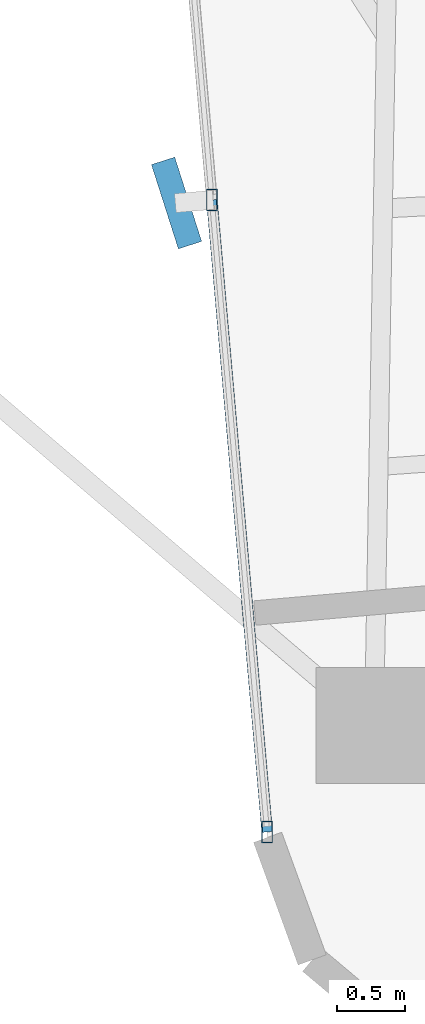
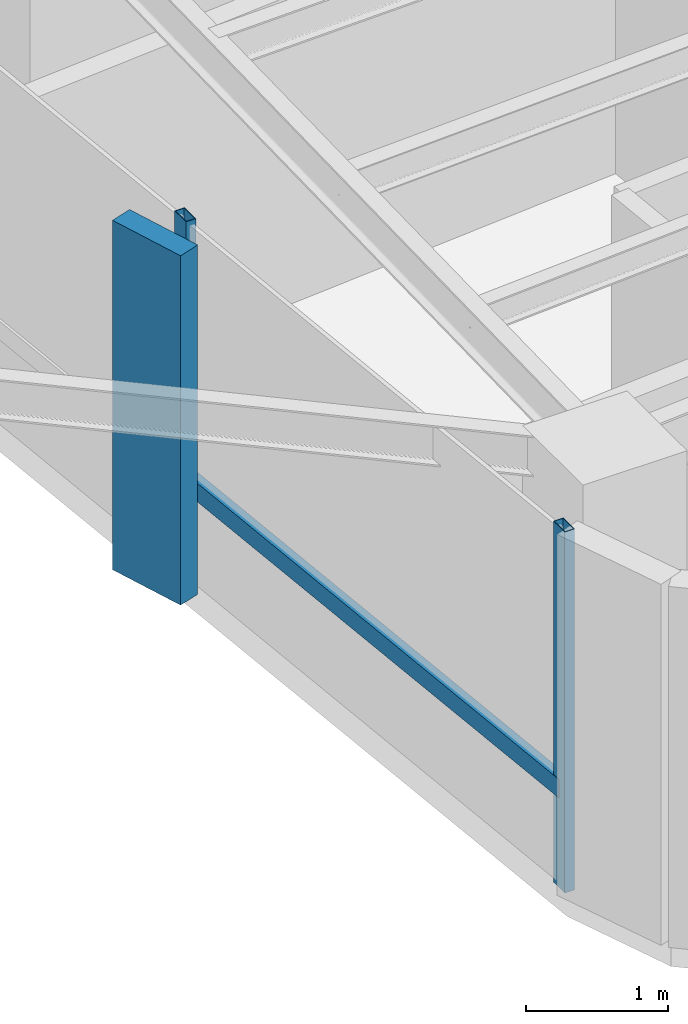
# One storey, part 2 of 24: 4 members, 1 element without a shape of its own.
"""IFC4 building model written with IfcOpenShell, lengths in metres."""

from ifc_helpers import new_model, si_unit, direction, frame, origin, origin_2d, place, context, subcontext, project, spatial, rectangle, hollow_rectangle, extrude, source, transform, mapped, material, material_profile, profile_set, type_object, element, aggregate, save


model = new_model("IFC4")

# Units and contexts
model_context = context("Model", 3, precision=1e-05, world=origin(), true_north=direction((0.0, 1.0)))
body_context = subcontext(model_context, "Body", "Model", "MODEL_VIEW")
ifc_project = project(units=[si_unit("LENGTHUNIT", "METRE"), si_unit("AREAUNIT", "SQUARE_METRE"), si_unit("VOLUMEUNIT", "CUBIC_METRE"), si_unit("PLANEANGLEUNIT", "RADIAN"), si_unit("MASSUNIT", "GRAM", prefix="KILO")], contexts=[model_context])

# Site, building, storey
site_placement = place(None, origin())
site = spatial("IfcSite", under=ifc_project, at=site_placement, CompositionType="ELEMENT")
building_placement = place(site_placement, origin())
building = spatial("IfcBuilding", under=site, at=building_placement, Name="Sahyath Konkavel Grand Hotel", CompositionType="ELEMENT")
storey_placement = place(building_placement, frame((0.0, 0.0, 160.64990234375)))
storey = spatial("IfcBuildingStorey", under=building, at=storey_placement, Name="L44", CompositionType="ELEMENT", Elevation=160.64990234375)

# Curtain wall, members
ifc_material_1 = material(Name="Anodised Bronze Aluminium & Low-E Glazing", Category="aluminium")
curtain_wall_type = type_object("IfcCurtainWallType", Name="CW-ZONE3", PredefinedType="NOTDEFINED", material=ifc_material_1)
curtain_wall_placement = place(storey_placement, origin())
curtain_wall = element("IfcCurtainWall", 1, at=curtain_wall_placement, inside=storey, type_object=curtain_wall_type, Name="L44 Unitised Curtain Wall F24", PredefinedType="NOTDEFINED")
ifc_material_2 = material(Name="Warm Buff Sandstone Cladding on Concrete C50/60", Category="masonry")
ifc_material_profile_1 = material_profile(ifc_material_2, rectangle(XDim=0.179931640625, YDim=0.64990234375, at=origin_2d()), Name="FIN 180x650")
ifc_profile_set_1 = profile_set([ifc_material_profile_1], Name="Warm Buff Sandstone Cladding on Concrete C50/60")
member_type_1 = type_object("IfcMemberType", Name="FIN-SANDSTONE-650", PredefinedType="MULLION", material=ifc_profile_set_1)
shared_shape_1 = source(origin(), body_context, "Body", "SweptSolid", [
    extrude(rectangle(XDim=0.179931640625, YDim=0.64990234375, at=origin_2d()), origin(), (0.0, 0.0, 1.0), 3.010009765625),
])
member_1_placement = place(storey_placement, frame((-5.386474609375, -14.273681640625, 0.050048828125), z_axis=(0.0, 0.0, 1.0), x_axis=(0.952502159334, 0.304531831612, 0.0)))
member_1 = element("IfcMember", 2, at=member_1_placement, type_object=member_type_1, Name="L44 Sandstone Vertical Solar Fin FIN F24-1", PredefinedType="MULLION", context=body_context, shape_type="MappedRepresentation", body=[
    mapped(shared_shape_1, transform((0.0, 0.0, 0.0), scale=1.0)),
])
ifc_material_3 = material(Name="Anodised Bronze Aluminium", Category="aluminium")
ifc_material_profile_2 = material_profile(ifc_material_3, hollow_rectangle(XDim=0.080078125, YDim=0.159912109375, WallThickness=0.006103515625, at=origin_2d()), Name="RHS 160x80x6")
ifc_profile_set_2 = profile_set([ifc_material_profile_2], Name="Anodised Bronze Aluminium")
member_type_2 = type_object("IfcMemberType", Name="CW-MUL-160", PredefinedType="MULLION", material=ifc_profile_set_2)
shared_shape_2 = source(origin(), body_context, "Body", "SweptSolid", [
    extrude(hollow_rectangle(XDim=0.080078125, YDim=0.159912109375, WallThickness=0.006103515625, at=origin_2d()), origin(), (0.0, 0.0, 1.0), 3.110107421875),
])
member_2_placement = place(storey_placement, frame((-5.12744140625, -14.251220703125, 0.0), z_axis=(0.0, 0.0, 1.0), x_axis=(1.0, 0.0, 0.0)))
member_2 = element("IfcMember", 3, at=member_2_placement, type_object=member_type_2, Name="L44 Curtain Wall Mullion F24-1", PredefinedType="MULLION", context=body_context, shape_type="MappedRepresentation", body=[
    mapped(shared_shape_2, transform((0.0, 0.0, 0.0), scale=1.0)),
])
member_3_placement = place(storey_placement, frame((-4.72119140625, -18.893310546875, 0.0), z_axis=(0.0, 0.0, 1.0), x_axis=(1.0, 0.0, 0.0)))
member_3 = element("IfcMember", 4, at=member_3_placement, type_object=member_type_2, Name="L44 Curtain Wall Mullion F24-2", PredefinedType="MULLION", context=body_context, shape_type="MappedRepresentation", body=[
    mapped(shared_shape_2, transform((0.0, 0.0, 0.0), scale=1.0)),
])
ifc_material_profile_3 = material_profile(ifc_material_3, hollow_rectangle(XDim=0.080078125, YDim=0.159912109375, WallThickness=0.006103515625, at=origin_2d()), Name="RHS 160x80x6")
ifc_profile_set_3 = profile_set([ifc_material_profile_3], Name="Anodised Bronze Aluminium")
member_type_3 = type_object("IfcMemberType", Name="CW-TRN-160", PredefinedType="USERDEFINED", material=ifc_profile_set_3)
shared_shape_3 = source(origin(), body_context, "Body", "SweptSolid", [
    extrude(hollow_rectangle(XDim=0.080078125, YDim=0.159912109375, WallThickness=0.006103515625, at=origin_2d()), origin(), (0.0, 0.0, 1.0), 4.659912109375),
])
member_4_placement = place(storey_placement, frame((-5.12744140625, -14.251220703125, 0.85009765625), z_axis=(0.087181248758, -0.996192466276, 0.0), x_axis=(0.996192466276, 0.087181248758, 0.0)))
member_4 = element("IfcMember", 5, at=member_4_placement, type_object=member_type_3, Name="L44 Curtain Wall Transom F24-1-spandrel", ObjectType="TRANSOM", PredefinedType="USERDEFINED", context=body_context, shape_type="MappedRepresentation", body=[
    mapped(shared_shape_3, transform((0.0, 0.0, 0.0), scale=1.0)),
])
aggregate(curtain_wall, [member_2, member_1, member_3, member_4])

save(model, "model.ifc")
